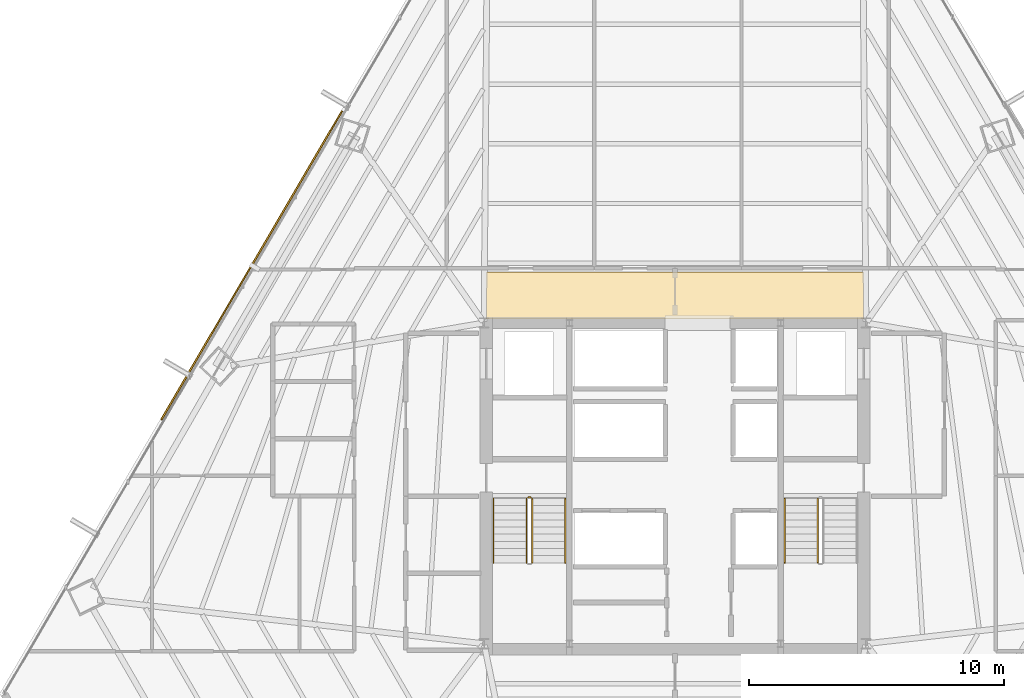
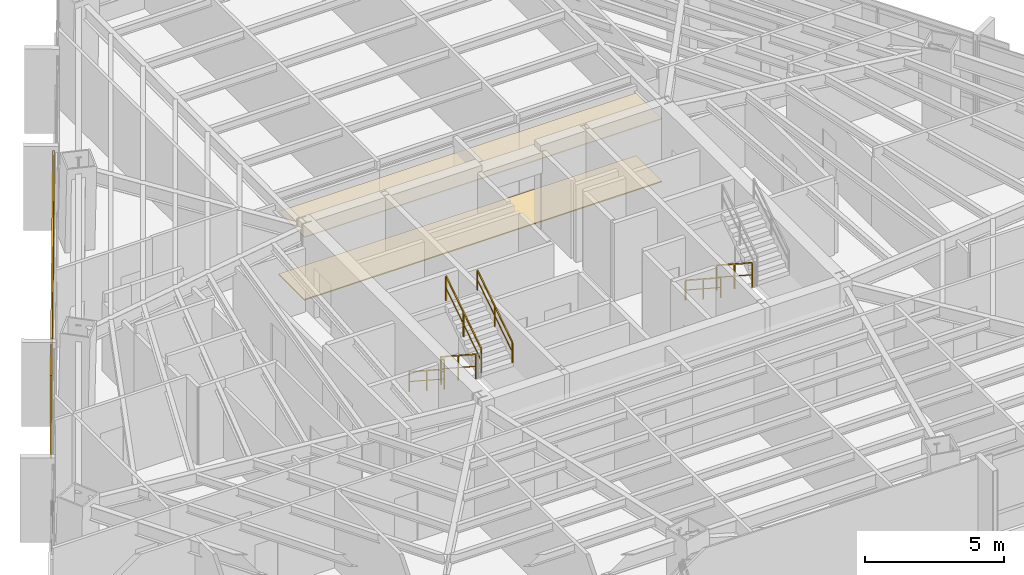
# One storey, part 35 of 37: 7 railings, 2 coverings, 1 shading device.
"""IFC4 building model written with IfcOpenShell, lengths in metres."""

import ifcopenshell
import ifcopenshell.guid

model = None  # the IFC model being written
_history = None  # IfcOwnerHistory: only IFC2X3 demands one
_inside = {}  # id of a spatial element -> (the spatial element, [elements in it])
_under = {}  # id of a project, library or spatial element -> (it, [spatial elements below it])
_declared = {}  # id of a project -> (the project, [libraries it declares])
_typed = {}  # id of a type object -> (the type object, [elements of that type])
_made_of = {}  # id of a material, layer set ... -> (it, [elements and type objects made of it])


def new_model(schema):
    """Start an empty IFC model of exactly this schema.

    Asked for "IFC4X3", IfcOpenShell would pick the latest addendum, in which some entities
    have other attributes; the version numbers below select the first issue.
    IFC2X3 requires an IfcOwnerHistory on every rooted entity: one is made here for all.
    """
    global model, _history
    if schema == "IFC4X3":
        model = ifcopenshell.file(schema_version=(4, 3, 0, 0))
    else:
        model = ifcopenshell.file(schema=schema)
    _inside.clear()
    _under.clear()
    _declared.clear()
    _typed.clear()
    _made_of.clear()
    _history = None
    if model.schema == "IFC2X3":
        org = make("IfcOrganization", Name="unknown")
        user = make(
            "IfcPersonAndOrganization",
            ThePerson=make("IfcPerson", FamilyName="unknown"),
            TheOrganization=org,
        )
        app = make(
            "IfcApplication",
            ApplicationDeveloper=org,
            Version="unknown",
            ApplicationFullName="unknown",
            ApplicationIdentifier="unknown",
        )
        _history = make(
            "IfcOwnerHistory",
            OwningUser=user,
            OwningApplication=app,
            ChangeAction="ADDED",
            CreationDate=0,
        )
    return model


def make(cls, **values):
    """One entity of the class cls with the attributes given. An attribute that is None is left unset."""
    return model.create_entity(
        cls, **{name: value for name, value in values.items() if value is not None}
    )


def rooted(cls, **values):
    """An entity with a GlobalId (a new one), such as an element, a storey or a relation."""
    return make(cls, GlobalId=ifcopenshell.guid.new(), OwnerHistory=_history, **values)


def si_unit(unit_type, name, prefix=None):
    """IfcSIUnit, for example si_unit("LENGTHUNIT", "METRE", prefix="MILLI")."""
    return make("IfcSIUnit", UnitType=unit_type, Prefix=prefix, Name=name)


def assignment(units):
    """IfcUnitAssignment: the units of a project."""
    return None if units is None else make("IfcUnitAssignment", Units=units)


def point(xyz):
    """IfcCartesianPoint."""
    return None if xyz is None else make("IfcCartesianPoint", Coordinates=xyz)


def direction(xyz):
    """IfcDirection."""
    return None if xyz is None else make("IfcDirection", DirectionRatios=xyz)


def frame(location, z_axis=None, x_axis=None):
    """IfcAxis2Placement3D, a coordinate frame: its origin and axes. An axis left out is left unset."""
    return make(
        "IfcAxis2Placement3D",
        Location=point(location),
        Axis=direction(z_axis),
        RefDirection=direction(x_axis),
    )


def frame_2d(location, x_axis=None):
    """IfcAxis2Placement2D, a coordinate frame in the plane: its origin and x axis."""
    return make(
        "IfcAxis2Placement2D", Location=point(location), RefDirection=direction(x_axis)
    )


def origin():
    """The frame at (0, 0, 0) with its axes left unset."""
    return frame((0.0, 0.0, 0.0))


def origin_2d():
    """The frame at (0, 0) in the plane with its x axis left unset."""
    return frame_2d((0.0, 0.0))


def place(relative_to, where):
    """IfcLocalPlacement: puts the frame where relative to a parent placement (None: the world)."""
    return make(
        "IfcLocalPlacement", PlacementRelTo=relative_to, RelativePlacement=where
    )


def context(
    kind, dimensions, precision=None, world=None, true_north=None, identifier=None
):
    """IfcGeometricRepresentationContext, for example the 3D "Model" context."""
    return make(
        "IfcGeometricRepresentationContext",
        ContextIdentifier=identifier,
        ContextType=kind,
        CoordinateSpaceDimension=dimensions,
        Precision=precision,
        WorldCoordinateSystem=world,
        TrueNorth=true_north,
    )


def subcontext(parent, identifier, kind, view, scale=None):
    """IfcGeometricRepresentationSubContext, for example "Body" below "Model"."""
    return make(
        "IfcGeometricRepresentationSubContext",
        ContextIdentifier=identifier,
        ContextType=kind,
        ParentContext=parent,
        TargetScale=scale,
        TargetView=view,
    )


def project(units=None, contexts=None):
    """IfcProject with its units and contexts."""
    return rooted(
        "IfcProject",
        Name="project",
        RepresentationContexts=contexts,
        UnitsInContext=assignment(units),
    )


def spatial(cls, under=None, at=None, **own):
    """A site, building, storey or space (cls), placed at a placement, below another one or the project."""
    s = rooted(cls, ObjectPlacement=at, **own)
    if under is not None:
        _under.setdefault(under.id(), (under, []))[1].append(s)
    return s


def polyline(points):
    """IfcPolyline through the points."""
    return make("IfcPolyline", Points=[point(p) for p in points])


def profile(cls, at=None, kind="AREA", **sizes):
    """A parametric profile (cls). Its sizes go by their IFC names, for example OverallWidth=200.0."""
    return make(cls, ProfileType=kind, Position=at, **sizes)


def rectangle(**sizes):
    """IfcRectangleProfileDef."""
    return profile("IfcRectangleProfileDef", **sizes)


def outline(outer, holes=None, kind="AREA"):
    """IfcArbitraryClosedProfileDef: a profile drawn as a closed curve; with holes, ...WithVoids."""
    if holes is None:
        return make("IfcArbitraryClosedProfileDef", ProfileType=kind, OuterCurve=outer)
    return make(
        "IfcArbitraryProfileDefWithVoids",
        ProfileType=kind,
        OuterCurve=outer,
        InnerCurves=holes,
    )


def extrude(swept, where, along, depth):
    """IfcExtrudedAreaSolid: the profile swept, set in the frame where, extruded along a direction by depth."""
    return make(
        "IfcExtrudedAreaSolid",
        SweptArea=swept,
        Position=where,
        ExtrudedDirection=direction(along),
        Depth=depth,
    )


def shape(context_of_items, identifier, shape_type, items):
    """IfcShapeRepresentation: the items that make up one representation, for example the "Body"."""
    return make(
        "IfcShapeRepresentation",
        ContextOfItems=context_of_items,
        RepresentationIdentifier=identifier,
        RepresentationType=shape_type,
        Items=items,
    )


def source(mapping_origin, context_of_items, identifier, shape_type, items):
    """IfcRepresentationMap: a shape defined once, which mapped items show again and again."""
    return make(
        "IfcRepresentationMap",
        MappingOrigin=mapping_origin,
        MappedRepresentation=shape(context_of_items, identifier, shape_type, items),
    )


def transform(
    local_origin,
    x_axis=None,
    y_axis=None,
    z_axis=None,
    scale=None,
    scale2=None,
    scale3=None,
    uniform=True,
):
    """IfcCartesianTransformationOperator3D, or its non-uniform kind. x_axis, y_axis, z_axis: its Axis1, 2, 3."""
    if uniform:
        return make(
            "IfcCartesianTransformationOperator3D",
            Axis1=direction(x_axis),
            Axis2=direction(y_axis),
            LocalOrigin=point(local_origin),
            Scale=scale,
            Axis3=direction(z_axis),
        )
    return make(
        "IfcCartesianTransformationOperator3DnonUniform",
        Axis1=direction(x_axis),
        Axis2=direction(y_axis),
        LocalOrigin=point(local_origin),
        Scale=scale,
        Axis3=direction(z_axis),
        Scale2=scale2,
        Scale3=scale3,
    )


def mapped(mapping_source, mapping_target):
    """IfcMappedItem: shows the shape of a source again, moved by a transform."""
    return make(
        "IfcMappedItem", MappingSource=mapping_source, MappingTarget=mapping_target
    )


def material(Name=None, Category=None):
    """IfcMaterial."""
    return make("IfcMaterial", Name=Name, Category=Category)


def layer(
    of_material, thickness, ventilated=None, Name=None, Category=None, Priority=None
):
    """IfcMaterialLayer: one layer of a wall or slab, of a material (None: an air gap)."""
    return make(
        "IfcMaterialLayer",
        Material=of_material,
        LayerThickness=thickness,
        IsVentilated=ventilated,
        Name=Name,
        Category=Category,
        Priority=Priority,
    )


def layer_set(layers, Name=None):
    """IfcMaterialLayerSet."""
    return make("IfcMaterialLayerSet", MaterialLayers=layers, LayerSetName=Name)


def made_of(thing, what):
    """Note that an element or type object is made of a material, layer set ...; save() writes the relation."""
    if what is not None:
        _made_of.setdefault(what.id(), (what, []))[1].append(thing)
    return thing


def type_object(cls, material=None, **own):
    """A type object (cls), such as IfcWallType, which elements share."""
    return made_of(rooted(cls, **own), material)


def type_shapes(of_type, sources):
    """Give a type object the sources (RepresentationMaps) that its elements show as mapped items."""
    of_type.RepresentationMaps = sources


def element(
    cls,
    number,
    at=None,
    inside=None,
    cuts=None,
    type_object=None,
    material=None,
    context=None,
    identifier="Body",
    shape_type=None,
    held_by="IfcProductDefinitionShape",
    body=None,
    shapes=None,
    **own,
):
    """One element of the class cls, such as IfcWall. Its Tag is "e" and its number.

    at: its placement. inside: the storey or other place that contains it. cuts: it is an
    opening in that element (IfcRelVoidsElement). A single representation is given by context,
    identifier, shape_type and body (its items); several are given by shapes. held_by: the class
    of the entity that holds the representations. save() writes the other relations.
    """
    e = rooted(cls, Tag="e%d" % number, ObjectPlacement=at, **own)
    if body is not None:
        shapes = [shape(context, identifier, shape_type, body)]
    if shapes is not None:
        e.Representation = make(held_by, Representations=shapes)
    if inside is not None:
        _inside.setdefault(inside.id(), (inside, []))[1].append(e)
    if cuts is not None:
        rooted(
            "IfcRelVoidsElement", RelatingBuildingElement=cuts, RelatedOpeningElement=e
        )
    if type_object is not None:
        _typed.setdefault(type_object.id(), (type_object, []))[1].append(e)
    return made_of(e, material)


def aggregate(whole, parts):
    """IfcRelAggregates: a whole, such as a stair, and the parts it consists of."""
    return rooted("IfcRelAggregates", RelatingObject=whole, RelatedObjects=parts)


def save(model, path):
    """Write the relations noted so far, then the file.

    IfcRelAggregates (storeys below a building ...), IfcRelContainedInSpatialStructure (elements
    in a storey), IfcRelDefinesByType, IfcRelAssociatesMaterial and IfcRelDeclares: one each for
    every whole, place, type object, material and project.
    """
    for whole, parts in _under.values():
        aggregate(whole, parts)
    for where, things in _inside.values():
        rooted(
            "IfcRelContainedInSpatialStructure",
            RelatedElements=things,
            RelatingStructure=where,
        )
    for kind, things in _typed.values():
        rooted("IfcRelDefinesByType", RelatedObjects=things, RelatingType=kind)
    for what, things in _made_of.values():
        rooted("IfcRelAssociatesMaterial", RelatedObjects=things, RelatingMaterial=what)
    for by, libraries in _declared.values():
        rooted("IfcRelDeclares", RelatingContext=by, RelatedDefinitions=libraries)
    model.write(path)


model = new_model("IFC4")

# Units and contexts
model_context = context("Model", 3, precision=1e-05, world=origin(), true_north=direction((0.0, 1.0)))
body_context = subcontext(model_context, "Body", "Model", "MODEL_VIEW")
ifc_project = project(units=[si_unit("LENGTHUNIT", "METRE"), si_unit("AREAUNIT", "SQUARE_METRE"), si_unit("VOLUMEUNIT", "CUBIC_METRE"), si_unit("PLANEANGLEUNIT", "RADIAN"), si_unit("MASSUNIT", "GRAM", prefix="KILO")], contexts=[model_context])

# Site, building, storey
site_placement = place(None, origin())
site = spatial("IfcSite", under=ifc_project, at=site_placement, CompositionType="ELEMENT")
building_placement = place(site_placement, origin())
building = spatial("IfcBuilding", under=site, at=building_placement, Name="Caelisora Broadcast Tower", CompositionType="ELEMENT")
storey_placement = place(building_placement, frame((0.0, 0.0, 105.39990234375)))
storey = spatial("IfcBuildingStorey", under=building, at=storey_placement, Name="L27", CompositionType="ELEMENT", Elevation=105.39990234375)

# Coverings
ifc_material_1 = material(Name="Perforated Mineral-Fibre Acoustic Ceiling Tile", Category="gypsum")
ifc_layer_1 = layer(ifc_material_1, 0.034912109375, Name="Perforated Mineral-Fibre Acoustic Ceiling Tile")
ifc_layer_set_1 = layer_set([ifc_layer_1], Name="Perforated Mineral-Fibre Acoustic Ceiling Tile")
covering_type_1 = type_object("IfcCoveringType", Name="CE-1", PredefinedType="CEILING", material=ifc_layer_set_1)
covering_1_placement = place(storey_placement, frame((0.0, 0.0, 2.75)))
element("IfcCovering", 1, at=covering_1_placement, inside=storey, type_object=covering_type_1, Name="L27 acoustic corridor ceiling CE-1 (N)", PredefinedType="CEILING", context=body_context, shape_type="SweptSolid", body=[
    extrude(outline(polyline([(30.60009765625, 30.14990234375), (45.39990234375, 30.14990234375), (45.39990234375, 32.0), (30.60009765625, 32.0), (30.60009765625, 30.14990234375)])), origin(), (0.0, 0.0, 1.0), 0.03515625),
])
ifc_material_2 = material(Name="Anti-Static Broadcast Raised Access Floor Panel", Category="steel")
ifc_layer_2 = layer(ifc_material_2, 0.044921875, Name="Anti-Static Broadcast Raised Access Floor Panel")
ifc_layer_set_2 = layer_set([ifc_layer_2], Name="Anti-Static Broadcast Raised Access Floor Panel")
covering_type_2 = type_object("IfcCoveringType", Name="FL-1", PredefinedType="FLOORING", material=ifc_layer_set_2)
covering_2_placement = place(storey_placement, origin())
element("IfcCovering", 2, at=covering_2_placement, inside=storey, type_object=covering_type_2, Name="L27 broadcast raised access floor FL-1 (N)", PredefinedType="FLOORING", context=body_context, shape_type="SweptSolid", body=[
    extrude(outline(polyline([(30.60009765625, 30.14990234375), (45.39990234375, 30.14990234375), (45.39990234375, 32.0), (30.60009765625, 32.0), (30.60009765625, 30.14990234375)])), origin(), (0.0, 0.0, 1.0), 0.045166015625),
])

# Railings
ifc_material_3 = material(Name="Galvanised Steel Safety Guardrail", Category="steel")
ifc_layer_3 = layer(ifc_material_3, 0.048095703125, Name="Galvanised Steel Safety Guardrail")
ifc_layer_set_3 = layer_set([ifc_layer_3], Name="Galvanised Steel Safety Guardrail")
railing_type_1 = type_object("IfcRailingType", Name="GR-1", PredefinedType="GUARDRAIL", material=ifc_layer_set_3)
railing_1_placement = place(storey_placement, frame((32.169921875, 23.10009765625, 0.1826171875)))
element("IfcRailing", 3, at=railing_1_placement, inside=storey, type_object=railing_type_1, Name="L27 ST-1 stair guard 1", PredefinedType="GUARDRAIL", context=body_context, shape_type="SweptSolid", body=[
    extrude(rectangle(XDim=0.048095703125, YDim=0.048095703125, at=origin_2d()), frame((0.0, 0.0, 1.076171875), z_axis=(0.0, -0.837749427056, 0.546054848405), x_axis=(1.0, 0.0, 0.0)), (0.0, 0.0, 1.0), 3.008056640625),
    extrude(rectangle(XDim=0.03125, YDim=0.03125, at=origin_2d()), frame((0.0, 0.0, 0.550048828125), z_axis=(0.0, -0.837749427056, 0.546054848405), x_axis=(1.0, 0.0, 0.0)), (0.0, 0.0, 1.0), 3.008056640625),
    extrude(rectangle(XDim=0.0419921875, YDim=0.0419921875, at=origin_2d()), origin(), (0.0, 0.0, 1.0), 1.052001953125),
    extrude(rectangle(XDim=0.0419921875, YDim=0.0419921875, at=origin_2d()), frame((0.0, -1.260009765625, 0.8212890625)), (0.0, 0.0, 1.0), 1.052001953125),
    extrude(rectangle(XDim=0.0419921875, YDim=0.0419921875, at=origin_2d()), frame((0.0, -2.52001953125, 1.642578125)), (0.0, 0.0, 1.0), 1.052001953125),
])
railing_2_placement = place(storey_placement, frame((32.389892578125, 20.580078125, 2.007568359375)))
element("IfcRailing", 4, at=railing_2_placement, inside=storey, type_object=railing_type_1, Name="L27 ST-1 stair guard 3", PredefinedType="GUARDRAIL", context=body_context, shape_type="SweptSolid", body=[
    extrude(rectangle(XDim=0.048095703125, YDim=0.048095703125, at=origin_2d()), frame((0.0, 0.0, 1.076171875), z_axis=(0.0, 0.837749427056, 0.546054848405), x_axis=(-1.0, 0.0, 0.0)), (0.0, 0.0, 1.0), 3.008056640625),
    extrude(rectangle(XDim=0.03125, YDim=0.03125, at=origin_2d()), frame((0.0, 0.0, 0.550048828125), z_axis=(0.0, 0.837749427056, 0.546054848405), x_axis=(-1.0, 0.0, 0.0)), (0.0, 0.0, 1.0), 3.008056640625),
    extrude(rectangle(XDim=0.0419921875, YDim=0.0419921875, at=origin_2d()), origin(), (0.0, 0.0, 1.0), 1.052001953125),
    extrude(rectangle(XDim=0.0419921875, YDim=0.0419921875, at=origin_2d()), frame((0.0, 1.260009765625, 0.8212890625)), (0.0, 0.0, 1.0), 1.052001953125),
    extrude(rectangle(XDim=0.0419921875, YDim=0.0419921875, at=origin_2d()), frame((0.0, 2.52001953125, 1.642578125)), (0.0, 0.0, 1.0), 1.052001953125),
])
railing_3_placement = place(storey_placement, frame((32.219970703125, 23.14990234375, 0.0)))
element("IfcRailing", 5, at=railing_3_placement, inside=storey, type_object=railing_type_1, Name="L27 ST-1 stair guard 4", PredefinedType="GUARDRAIL", context=body_context, shape_type="SweptSolid", body=[
    extrude(rectangle(XDim=0.048095703125, YDim=0.048095703125, at=origin_2d()), frame((0.0, 0.0, 1.076171875), z_axis=(1.0, 0.0, 0.0), x_axis=(0.0, 1.0, 0.0)), (0.0, 0.0, 1.0), 0.1201171875),
    extrude(rectangle(XDim=0.03125, YDim=0.03125, at=origin_2d()), frame((0.0, 0.0, 0.550048828125), z_axis=(1.0, 0.0, 0.0), x_axis=(0.0, 1.0, 0.0)), (0.0, 0.0, 1.0), 0.1201171875),
    extrude(rectangle(XDim=0.0419921875, YDim=0.0419921875, at=origin_2d()), origin(), (0.0, 0.0, 1.0), 1.052001953125),
    extrude(rectangle(XDim=0.0419921875, YDim=0.0419921875, at=origin_2d()), frame((0.1201171875, 0.0, 0.0)), (0.0, 0.0, 1.0), 1.052001953125),
])
railing_4_placement = place(storey_placement, frame((43.610107421875, 23.10009765625, 0.1826171875)))
element("IfcRailing", 6, at=railing_4_placement, inside=storey, type_object=railing_type_1, Name="L27 ST-2 stair guard 1", PredefinedType="GUARDRAIL", context=body_context, shape_type="SweptSolid", body=[
    extrude(rectangle(XDim=0.048095703125, YDim=0.048095703125, at=origin_2d()), frame((0.0, 0.0, 1.076171875), z_axis=(0.0, -0.837749427056, 0.546054848405), x_axis=(1.0, 0.0, 0.0)), (0.0, 0.0, 1.0), 3.008056640625),
    extrude(rectangle(XDim=0.03125, YDim=0.03125, at=origin_2d()), frame((0.0, 0.0, 0.550048828125), z_axis=(0.0, -0.837749427056, 0.546054848405), x_axis=(1.0, 0.0, 0.0)), (0.0, 0.0, 1.0), 3.008056640625),
    extrude(rectangle(XDim=0.0419921875, YDim=0.0419921875, at=origin_2d()), origin(), (0.0, 0.0, 1.0), 1.052001953125),
    extrude(rectangle(XDim=0.0419921875, YDim=0.0419921875, at=origin_2d()), frame((0.0, -1.260009765625, 0.8212890625)), (0.0, 0.0, 1.0), 1.052001953125),
    extrude(rectangle(XDim=0.0419921875, YDim=0.0419921875, at=origin_2d()), frame((0.0, -2.52001953125, 1.642578125)), (0.0, 0.0, 1.0), 1.052001953125),
])
ifc_material_4 = material(Name="Stainless Steel Grade 316 Tubular Handrail", Category="steel")
ifc_layer_4 = layer(ifc_material_4, 0.048095703125, Name="Stainless Steel Grade 316 Tubular Handrail")
ifc_layer_set_4 = layer_set([ifc_layer_4], Name="Stainless Steel Grade 316 Tubular Handrail")
railing_type_2 = type_object("IfcRailingType", Name="HR-1", PredefinedType="HANDRAIL", material=ifc_layer_set_4)
railing_5_placement = place(storey_placement, frame((30.8701171875, 23.10009765625, 0.1826171875)))
element("IfcRailing", 7, at=railing_5_placement, inside=storey, type_object=railing_type_2, Name="L27 ST-1 stair handrail 1", PredefinedType="HANDRAIL", context=body_context, shape_type="SweptSolid", body=[
    extrude(rectangle(XDim=0.048095703125, YDim=0.048095703125, at=origin_2d()), frame((0.0, 0.0, 0.8759765625), z_axis=(0.0, -0.837749427056, 0.546054848405), x_axis=(1.0, 0.0, 0.0)), (0.0, 0.0, 1.0), 3.008056640625),
    extrude(rectangle(XDim=0.03125, YDim=0.03125, at=origin_2d()), frame((0.0, 0.0, 0.449951171875), z_axis=(0.0, -0.837749427056, 0.546054848405), x_axis=(1.0, 0.0, 0.0)), (0.0, 0.0, 1.0), 3.008056640625),
    extrude(rectangle(XDim=0.0419921875, YDim=0.0419921875, at=origin_2d()), origin(), (0.0, 0.0, 1.0), 0.851806640625),
    extrude(rectangle(XDim=0.0419921875, YDim=0.0419921875, at=origin_2d()), frame((0.0, -1.260009765625, 0.8212890625)), (0.0, 0.0, 1.0), 0.851806640625),
    extrude(rectangle(XDim=0.0419921875, YDim=0.0419921875, at=origin_2d()), frame((0.0, -2.52001953125, 1.642578125)), (0.0, 0.0, 1.0), 0.851806640625),
])
railing_6_placement = place(storey_placement, frame((33.68994140625, 20.580078125, 2.007568359375)))
element("IfcRailing", 8, at=railing_6_placement, inside=storey, type_object=railing_type_2, Name="L27 ST-1 stair handrail 2", PredefinedType="HANDRAIL", context=body_context, shape_type="SweptSolid", body=[
    extrude(rectangle(XDim=0.048095703125, YDim=0.048095703125, at=origin_2d()), frame((0.0, 0.0, 0.8759765625), z_axis=(0.0, 0.837749427056, 0.546054848405), x_axis=(-1.0, 0.0, 0.0)), (0.0, 0.0, 1.0), 3.008056640625),
    extrude(rectangle(XDim=0.03125, YDim=0.03125, at=origin_2d()), frame((0.0, 0.0, 0.449951171875), z_axis=(0.0, 0.837749427056, 0.546054848405), x_axis=(-1.0, 0.0, 0.0)), (0.0, 0.0, 1.0), 3.008056640625),
    extrude(rectangle(XDim=0.0419921875, YDim=0.0419921875, at=origin_2d()), origin(), (0.0, 0.0, 1.0), 0.851806640625),
    extrude(rectangle(XDim=0.0419921875, YDim=0.0419921875, at=origin_2d()), frame((0.0, 1.260009765625, 0.8212890625)), (0.0, 0.0, 1.0), 0.851806640625),
    extrude(rectangle(XDim=0.0419921875, YDim=0.0419921875, at=origin_2d()), frame((0.0, 2.52001953125, 1.642578125)), (0.0, 0.0, 1.0), 0.851806640625),
])
railing_7_placement = place(storey_placement, frame((42.31005859375, 23.10009765625, 0.1826171875)))
element("IfcRailing", 9, at=railing_7_placement, inside=storey, type_object=railing_type_2, Name="L27 ST-2 stair handrail 1", PredefinedType="HANDRAIL", context=body_context, shape_type="SweptSolid", body=[
    extrude(rectangle(XDim=0.048095703125, YDim=0.048095703125, at=origin_2d()), frame((0.0, 0.0, 0.8759765625), z_axis=(0.0, -0.837749427056, 0.546054848405), x_axis=(1.0, 0.0, 0.0)), (0.0, 0.0, 1.0), 3.008056640625),
    extrude(rectangle(XDim=0.03125, YDim=0.03125, at=origin_2d()), frame((0.0, 0.0, 0.449951171875), z_axis=(0.0, -0.837749427056, 0.546054848405), x_axis=(1.0, 0.0, 0.0)), (0.0, 0.0, 1.0), 3.008056640625),
    extrude(rectangle(XDim=0.0419921875, YDim=0.0419921875, at=origin_2d()), origin(), (0.0, 0.0, 1.0), 0.851806640625),
    extrude(rectangle(XDim=0.0419921875, YDim=0.0419921875, at=origin_2d()), frame((0.0, -1.260009765625, 0.8212890625)), (0.0, 0.0, 1.0), 0.851806640625),
    extrude(rectangle(XDim=0.0419921875, YDim=0.0419921875, at=origin_2d()), frame((0.0, -2.52001953125, 1.642578125)), (0.0, 0.0, 1.0), 0.851806640625),
])

# Shading device
ifc_material_5 = material(Name="Perforated Glazed Terracotta Baguette Solar Screen", Category="ceramic")
ifc_layer_5 = layer(ifc_material_5, 0.06494140625, Name="Perforated Glazed Terracotta Baguette Solar Screen")
ifc_layer_set_5 = layer_set([ifc_layer_5], Name="Perforated Glazed Terracotta Baguette Solar Screen")
shading_device_type = type_object("IfcShadingDeviceType", Name="SS-1", PredefinedType="USERDEFINED", material=ifc_layer_set_5)
shared_shape = source(origin(), body_context, "Body", "SweptSolid", [
    extrude(rectangle(XDim=14.052978515625, YDim=0.06494140625, at=origin_2d()), origin(), (0.0, 0.0, 1.0), 3.590087890625),
])
type_shapes(shading_device_type, [shared_shape])
shading_device_placement = place(storey_placement, frame((21.3740234375, 32.26171875, 0.0), z_axis=(0.0, 0.0, 1.0), x_axis=(-0.505431492718, -0.862866737202, 0.0)))
element("IfcShadingDevice", 10, at=shading_device_placement, inside=storey, type_object=shading_device_type, Name="L27 perforated terracotta solar screen #1", ObjectType="SOLAR SCREEN", PredefinedType="USERDEFINED", context=body_context, shape_type="MappedRepresentation", body=[
    mapped(shared_shape, transform((0.0, 0.0, 0.0), scale=1.0)),
])

save(model, "model.ifc")
